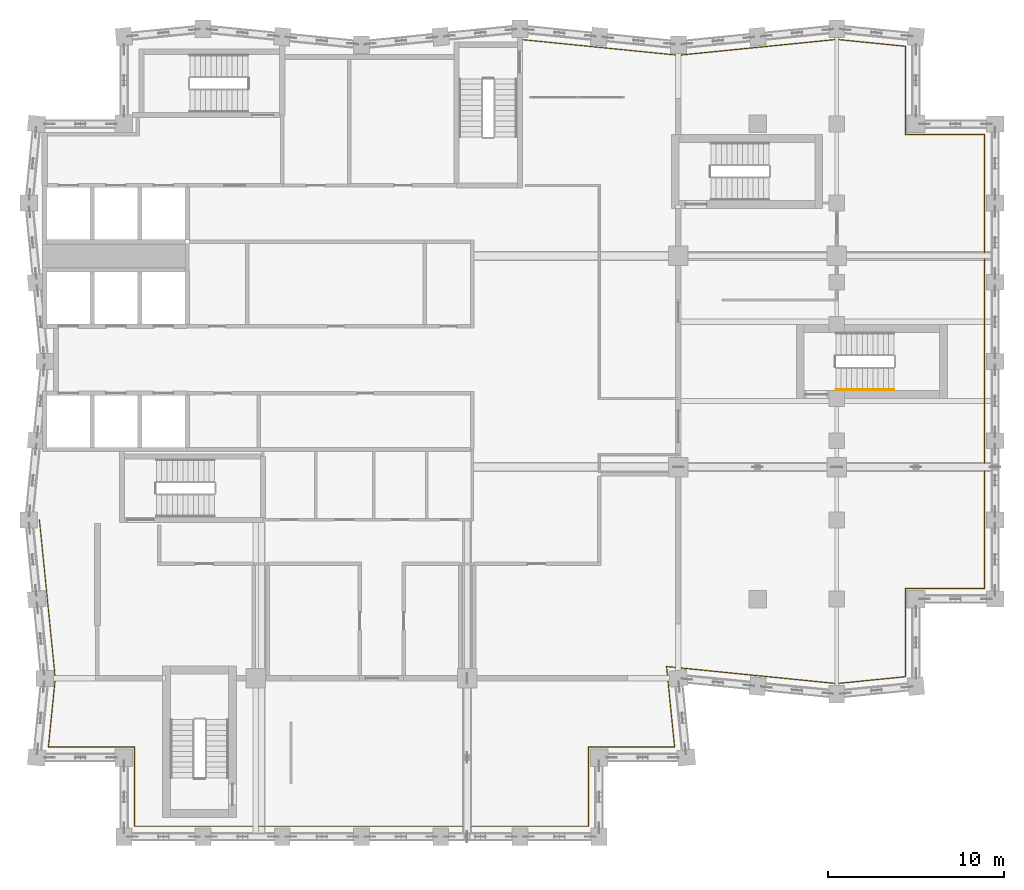
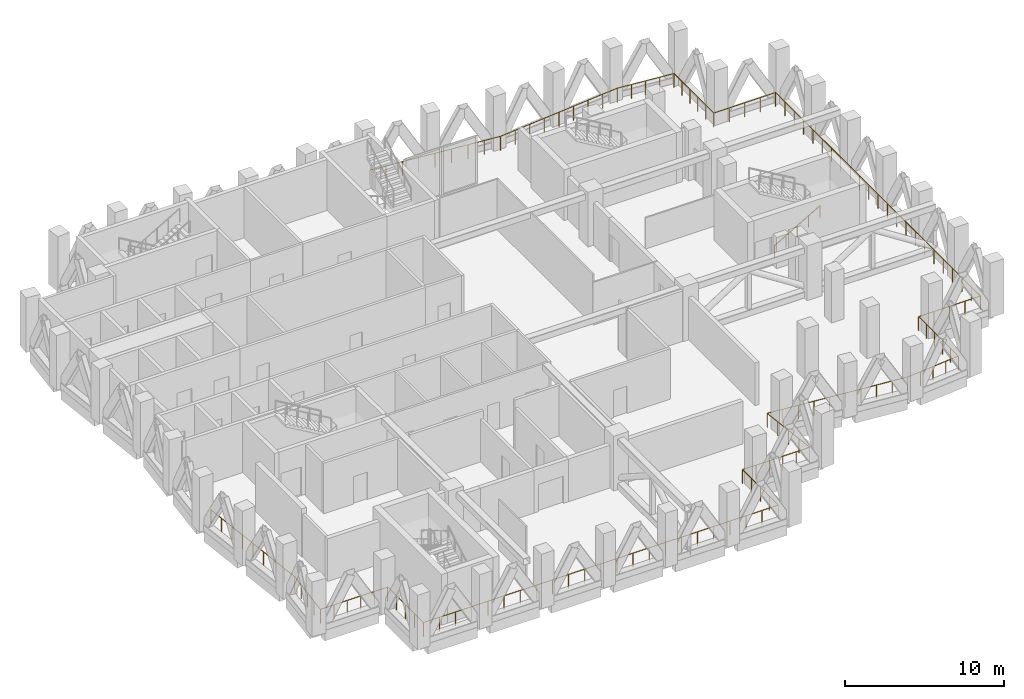
# One storey, part 17 of 18: 2 railings.
"""IFC4 building model written with IfcOpenShell, lengths in metres."""

from ifc_helpers import new_model, si_unit, direction, frame, origin, origin_2d, place, context, subcontext, project, spatial, circle, extrude, material, type_object, element, save


model = new_model("IFC4")

# Units and contexts
model_context = context("Model", 3, precision=1e-05, world=origin(), true_north=direction((0.0, 1.0)))
body_context = subcontext(model_context, "Body", "Model", "MODEL_VIEW")
ifc_project = project(units=[si_unit("LENGTHUNIT", "METRE"), si_unit("AREAUNIT", "SQUARE_METRE"), si_unit("VOLUMEUNIT", "CUBIC_METRE"), si_unit("PLANEANGLEUNIT", "RADIAN"), si_unit("MASSUNIT", "GRAM", prefix="KILO")], contexts=[model_context])

# Site, building, storey
site_placement = place(None, origin())
site = spatial("IfcSite", under=ifc_project, at=site_placement, CompositionType="ELEMENT")
building_placement = place(site_placement, origin())
building = spatial("IfcBuilding", under=site, at=building_placement, Name="Brondeck Convention Tower", CompositionType="ELEMENT")
storey_placement = place(building_placement, frame((0.0, 0.0, 248.199951171875)))
storey = spatial("IfcBuildingStorey", under=building, at=storey_placement, Name="L61", CompositionType="ELEMENT", Elevation=248.199951171875)

# Railings
ifc_material_1 = material(Name="Steel S355, bronze painted", Category="steel")
railing_type_1 = type_object("IfcRailingType", Name="Band guard, bronze steel rail and posts", PredefinedType="GUARDRAIL", material=ifc_material_1)
railing_1_placement = place(storey_placement, frame((-0.297119140625, 36.0, 0.0)))
element("IfcRailing", 1, at=railing_1_placement, inside=storey, type_object=railing_type_1, Name="ENV-BG-L61-1", PredefinedType="GUARDRAIL", context=body_context, shape_type="SweptSolid", body=[
    extrude(circle(Radius=0.02490234375, at=origin_2d()), frame((0.0, 0.0, 1.0751953125), z_axis=(0.0995197539, -0.995035586592, 0.0), x_axis=(0.995035586592, 0.0995197539, 0.0)), (0.0, 0.0, 1.0), 9.044921875),
    extrude(circle(Radius=0.02490234375, at=origin_2d()), frame((0.900146484375, -9.0, 1.0751953125), z_axis=(-0.099540723397, -0.995033489077, 0.0), x_axis=(0.995033489077, -0.099540723397, 0.0)), (0.0, 0.0, 1.0), 3.91943359375),
    extrude(circle(Radius=0.02490234375, at=origin_2d()), frame((0.510009765625, -12.89990234375, 1.0751953125), z_axis=(1.0, 0.0, 0.0), x_axis=(0.0, 1.0, 0.0)), (0.0, 0.0, 1.0), 4.88720703125),
    extrude(circle(Radius=0.02490234375, at=origin_2d()), frame((5.397216796875, -12.89990234375, 1.0751953125), z_axis=(0.0, -1.0, 0.0), x_axis=(1.0, 0.0, 0.0)), (0.0, 0.0, 1.0), 4.5),
    extrude(circle(Radius=0.02490234375, at=origin_2d()), frame((5.397216796875, -17.39990234375, 1.0751953125), z_axis=(1.0, 0.0, 0.0), x_axis=(0.0, 1.0, 0.0)), (0.0, 0.0, 1.0), 25.7998046875),
    extrude(circle(Radius=0.02490234375, at=origin_2d()), frame((31.197021484375, -17.39990234375, 1.0751953125), z_axis=(0.0, 1.0, 0.0), x_axis=(-1.0, 0.0, 0.0)), (0.0, 0.0, 1.0), 4.5),
    extrude(circle(Radius=0.02490234375, at=origin_2d()), frame((31.197021484375, -12.89990234375, 1.0751953125), z_axis=(1.0, 0.0, 0.0), x_axis=(0.0, 1.0, 0.0)), (0.0, 0.0, 1.0), 4.88720703125),
    extrude(circle(Radius=0.02490234375, at=origin_2d()), frame((36.084228515625, -12.89990234375, 1.0751953125), z_axis=(-0.099514245613, 0.995036137495, 0.0), x_axis=(-0.995036137495, -0.099514245613, 0.0)), (0.0, 0.0, 1.0), 4.592529296875),
    extrude(circle(Radius=0.02490234375, at=origin_2d()), frame((35.627197265625, -8.330078125, 1.0751953125), z_axis=(0.99503669273, -0.099508693696, 0.0), x_axis=(0.099508693696, 0.99503669273, 0.0)), (0.0, 0.0, 1.0), 9.71826171875),
    extrude(circle(Radius=0.02490234375, at=origin_2d()), frame((45.297119140625, -9.297119140625, 1.0751953125), z_axis=(0.995033489077, 0.099540723397, 0.0), x_axis=(-0.099540723397, 0.995033489077, 0.0)), (0.0, 0.0, 1.0), 3.91943359375),
    extrude(circle(Radius=0.02490234375, at=origin_2d()), frame((49.197021484375, -8.906982421875, 1.0751953125), z_axis=(0.0, 1.0, 0.0), x_axis=(-1.0, 0.0, 0.0)), (0.0, 0.0, 1.0), 5.007080078125),
    extrude(circle(Radius=0.02490234375, at=origin_2d()), frame((49.197021484375, -3.89990234375, 1.0751953125), z_axis=(1.0, 0.0, 0.0), x_axis=(0.0, 1.0, 0.0)), (0.0, 0.0, 1.0), 4.5),
    extrude(circle(Radius=0.02490234375, at=origin_2d()), frame((53.697021484375, -3.89990234375, 1.0751953125), z_axis=(0.0, 1.0, 0.0), x_axis=(-1.0, 0.0, 0.0)), (0.0, 0.0, 1.0), 25.7998046875),
    extrude(circle(Radius=0.02490234375, at=origin_2d()), frame((53.697021484375, 21.89990234375, 1.0751953125), z_axis=(-1.0, 0.0, 0.0), x_axis=(0.0, -1.0, 0.0)), (0.0, 0.0, 1.0), 4.5),
    extrude(circle(Radius=0.02490234375, at=origin_2d()), frame((49.197021484375, 21.89990234375, 1.0751953125), z_axis=(0.0, 1.0, 0.0), x_axis=(-1.0, 0.0, 0.0)), (0.0, 0.0, 1.0), 5.007080078125),
    extrude(circle(Radius=0.02490234375, at=origin_2d()), frame((49.197021484375, 26.906982421875, 1.0751953125), z_axis=(-0.995033489077, 0.099540723397, 0.0), x_axis=(-0.099540723397, -0.995033489077, 0.0)), (0.0, 0.0, 1.0), 3.91943359375),
    extrude(circle(Radius=0.02490234375, at=origin_2d()), frame((45.297119140625, 27.297119140625, 1.0751953125), z_axis=(-0.995035586592, -0.0995197539, 0.0), x_axis=(0.0995197539, -0.995035586592, 0.0)), (0.0, 0.0, 1.0), 9.044921875),
    extrude(circle(Radius=0.02490234375, at=origin_2d()), frame((36.297119140625, 26.39697265625, 1.0751953125), z_axis=(-0.995035586592, 0.0995197539, 0.0), x_axis=(-0.0995197539, -0.995035586592, 0.0)), (0.0, 0.0, 1.0), 9.044921875),
    extrude(circle(Radius=0.02490234375, at=origin_2d()), origin(), (0.0, 0.0, 1.0), 1.050048828125),
    extrude(circle(Radius=0.02490234375, at=origin_2d()), frame((0.112548828125, -1.125, 0.0)), (0.0, 0.0, 1.0), 1.050048828125),
    extrude(circle(Radius=0.02490234375, at=origin_2d()), frame((0.22509765625, -2.25, 0.0)), (0.0, 0.0, 1.0), 1.050048828125),
    extrude(circle(Radius=0.02490234375, at=origin_2d()), frame((0.337646484375, -3.375, 0.0)), (0.0, 0.0, 1.0), 1.050048828125),
    extrude(circle(Radius=0.02490234375, at=origin_2d()), frame((0.4501953125, -4.5, 0.0)), (0.0, 0.0, 1.0), 1.050048828125),
    extrude(circle(Radius=0.02490234375, at=origin_2d()), frame((0.5625, -5.625, 0.0)), (0.0, 0.0, 1.0), 1.050048828125),
    extrude(circle(Radius=0.02490234375, at=origin_2d()), frame((0.675048828125, -6.75, 0.0)), (0.0, 0.0, 1.0), 1.050048828125),
    extrude(circle(Radius=0.02490234375, at=origin_2d()), frame((0.78759765625, -7.875, 0.0)), (0.0, 0.0, 1.0), 1.050048828125),
    extrude(circle(Radius=0.02490234375, at=origin_2d()), frame((0.900146484375, -9.0, 0.0)), (0.0, 0.0, 1.0), 1.050048828125),
    extrude(circle(Radius=0.02490234375, at=origin_2d()), frame((0.802734375, -9.97509765625, 0.0)), (0.0, 0.0, 1.0), 1.050048828125),
    extrude(circle(Radius=0.02490234375, at=origin_2d()), frame((0.705078125, -10.949951171875, 0.0)), (0.0, 0.0, 1.0), 1.050048828125),
    extrude(circle(Radius=0.02490234375, at=origin_2d()), frame((0.607421875, -11.9248046875, 0.0)), (0.0, 0.0, 1.0), 1.050048828125),
    extrude(circle(Radius=0.02490234375, at=origin_2d()), frame((0.510009765625, -12.89990234375, 0.0)), (0.0, 0.0, 1.0), 1.050048828125),
    extrude(circle(Radius=0.02490234375, at=origin_2d()), frame((1.487548828125, -12.89990234375, 0.0)), (0.0, 0.0, 1.0), 1.050048828125),
    extrude(circle(Radius=0.02490234375, at=origin_2d()), frame((2.46484375, -12.89990234375, 0.0)), (0.0, 0.0, 1.0), 1.050048828125),
    extrude(circle(Radius=0.02490234375, at=origin_2d()), frame((3.4423828125, -12.89990234375, 0.0)), (0.0, 0.0, 1.0), 1.050048828125),
    extrude(circle(Radius=0.02490234375, at=origin_2d()), frame((4.419677734375, -12.89990234375, 0.0)), (0.0, 0.0, 1.0), 1.050048828125),
    extrude(circle(Radius=0.02490234375, at=origin_2d()), frame((5.397216796875, -12.89990234375, 0.0)), (0.0, 0.0, 1.0), 1.050048828125),
    extrude(circle(Radius=0.02490234375, at=origin_2d()), frame((5.397216796875, -14.02490234375, 0.0)), (0.0, 0.0, 1.0), 1.050048828125),
    extrude(circle(Radius=0.02490234375, at=origin_2d()), frame((5.397216796875, -15.14990234375, 0.0)), (0.0, 0.0, 1.0), 1.050048828125),
    extrude(circle(Radius=0.02490234375, at=origin_2d()), frame((5.397216796875, -16.27490234375, 0.0)), (0.0, 0.0, 1.0), 1.050048828125),
    extrude(circle(Radius=0.02490234375, at=origin_2d()), frame((5.397216796875, -17.39990234375, 0.0)), (0.0, 0.0, 1.0), 1.050048828125),
    extrude(circle(Radius=0.02490234375, at=origin_2d()), frame((6.56982421875, -17.39990234375, 0.0)), (0.0, 0.0, 1.0), 1.050048828125),
    extrude(circle(Radius=0.02490234375, at=origin_2d()), frame((7.74267578125, -17.39990234375, 0.0)), (0.0, 0.0, 1.0), 1.050048828125),
    extrude(circle(Radius=0.02490234375, at=origin_2d()), frame((8.915283203125, -17.39990234375, 0.0)), (0.0, 0.0, 1.0), 1.050048828125),
    extrude(circle(Radius=0.02490234375, at=origin_2d()), frame((10.088134765625, -17.39990234375, 0.0)), (0.0, 0.0, 1.0), 1.050048828125),
    extrude(circle(Radius=0.02490234375, at=origin_2d()), frame((11.2607421875, -17.39990234375, 0.0)), (0.0, 0.0, 1.0), 1.050048828125),
    extrude(circle(Radius=0.02490234375, at=origin_2d()), frame((12.43359375, -17.39990234375, 0.0)), (0.0, 0.0, 1.0), 1.050048828125),
    extrude(circle(Radius=0.02490234375, at=origin_2d()), frame((13.606201171875, -17.39990234375, 0.0)), (0.0, 0.0, 1.0), 1.050048828125),
    extrude(circle(Radius=0.02490234375, at=origin_2d()), frame((14.779052734375, -17.39990234375, 0.0)), (0.0, 0.0, 1.0), 1.050048828125),
    extrude(circle(Radius=0.02490234375, at=origin_2d()), frame((15.95166015625, -17.39990234375, 0.0)), (0.0, 0.0, 1.0), 1.050048828125),
    extrude(circle(Radius=0.02490234375, at=origin_2d()), frame((17.12451171875, -17.39990234375, 0.0)), (0.0, 0.0, 1.0), 1.050048828125),
    extrude(circle(Radius=0.02490234375, at=origin_2d()), frame((18.297119140625, -17.39990234375, 0.0)), (0.0, 0.0, 1.0), 1.050048828125),
    extrude(circle(Radius=0.02490234375, at=origin_2d()), frame((19.4697265625, -17.39990234375, 0.0)), (0.0, 0.0, 1.0), 1.050048828125),
    extrude(circle(Radius=0.02490234375, at=origin_2d()), frame((20.642578125, -17.39990234375, 0.0)), (0.0, 0.0, 1.0), 1.050048828125),
    extrude(circle(Radius=0.02490234375, at=origin_2d()), frame((21.815185546875, -17.39990234375, 0.0)), (0.0, 0.0, 1.0), 1.050048828125),
    extrude(circle(Radius=0.02490234375, at=origin_2d()), frame((22.988037109375, -17.39990234375, 0.0)), (0.0, 0.0, 1.0), 1.050048828125),
    extrude(circle(Radius=0.02490234375, at=origin_2d()), frame((24.16064453125, -17.39990234375, 0.0)), (0.0, 0.0, 1.0), 1.050048828125),
    extrude(circle(Radius=0.02490234375, at=origin_2d()), frame((25.33349609375, -17.39990234375, 0.0)), (0.0, 0.0, 1.0), 1.050048828125),
    extrude(circle(Radius=0.02490234375, at=origin_2d()), frame((26.506103515625, -17.39990234375, 0.0)), (0.0, 0.0, 1.0), 1.050048828125),
    extrude(circle(Radius=0.02490234375, at=origin_2d()), frame((27.678955078125, -17.39990234375, 0.0)), (0.0, 0.0, 1.0), 1.050048828125),
    extrude(circle(Radius=0.02490234375, at=origin_2d()), frame((28.8515625, -17.39990234375, 0.0)), (0.0, 0.0, 1.0), 1.050048828125),
    extrude(circle(Radius=0.02490234375, at=origin_2d()), frame((30.0244140625, -17.39990234375, 0.0)), (0.0, 0.0, 1.0), 1.050048828125),
    extrude(circle(Radius=0.02490234375, at=origin_2d()), frame((31.197021484375, -17.39990234375, 0.0)), (0.0, 0.0, 1.0), 1.050048828125),
    extrude(circle(Radius=0.02490234375, at=origin_2d()), frame((31.197021484375, -16.27490234375, 0.0)), (0.0, 0.0, 1.0), 1.050048828125),
    extrude(circle(Radius=0.02490234375, at=origin_2d()), frame((31.197021484375, -15.14990234375, 0.0)), (0.0, 0.0, 1.0), 1.050048828125),
    extrude(circle(Radius=0.02490234375, at=origin_2d()), frame((31.197021484375, -14.02490234375, 0.0)), (0.0, 0.0, 1.0), 1.050048828125),
    extrude(circle(Radius=0.02490234375, at=origin_2d()), frame((31.197021484375, -12.89990234375, 0.0)), (0.0, 0.0, 1.0), 1.050048828125),
    extrude(circle(Radius=0.02490234375, at=origin_2d()), frame((32.174560546875, -12.89990234375, 0.0)), (0.0, 0.0, 1.0), 1.050048828125),
    extrude(circle(Radius=0.02490234375, at=origin_2d()), frame((33.15185546875, -12.89990234375, 0.0)), (0.0, 0.0, 1.0), 1.050048828125),
    extrude(circle(Radius=0.02490234375, at=origin_2d()), frame((34.12939453125, -12.89990234375, 0.0)), (0.0, 0.0, 1.0), 1.050048828125),
    extrude(circle(Radius=0.02490234375, at=origin_2d()), frame((35.106689453125, -12.89990234375, 0.0)), (0.0, 0.0, 1.0), 1.050048828125),
    extrude(circle(Radius=0.02490234375, at=origin_2d()), frame((36.084228515625, -12.89990234375, 0.0)), (0.0, 0.0, 1.0), 1.050048828125),
    extrude(circle(Radius=0.02490234375, at=origin_2d()), frame((35.969970703125, -11.75732421875, 0.0)), (0.0, 0.0, 1.0), 1.050048828125),
    extrude(circle(Radius=0.02490234375, at=origin_2d()), frame((35.855712890625, -10.614990234375, 0.0)), (0.0, 0.0, 1.0), 1.050048828125),
    extrude(circle(Radius=0.02490234375, at=origin_2d()), frame((35.741455078125, -9.47265625, 0.0)), (0.0, 0.0, 1.0), 1.050048828125),
    extrude(circle(Radius=0.02490234375, at=origin_2d()), frame((35.627197265625, -8.330078125, 0.0)), (0.0, 0.0, 1.0), 1.050048828125),
    extrude(circle(Radius=0.02490234375, at=origin_2d()), frame((36.70166015625, -8.4375, 0.0)), (0.0, 0.0, 1.0), 1.050048828125),
    extrude(circle(Radius=0.02490234375, at=origin_2d()), frame((37.776123046875, -8.544921875, 0.0)), (0.0, 0.0, 1.0), 1.050048828125),
    extrude(circle(Radius=0.02490234375, at=origin_2d()), frame((38.8505859375, -8.65234375, 0.0)), (0.0, 0.0, 1.0), 1.050048828125),
    extrude(circle(Radius=0.02490234375, at=origin_2d()), frame((39.925048828125, -8.759765625, 0.0)), (0.0, 0.0, 1.0), 1.050048828125),
    extrude(circle(Radius=0.02490234375, at=origin_2d()), frame((40.999267578125, -8.867431640625, 0.0)), (0.0, 0.0, 1.0), 1.050048828125),
    extrude(circle(Radius=0.02490234375, at=origin_2d()), frame((42.07373046875, -8.974853515625, 0.0)), (0.0, 0.0, 1.0), 1.050048828125),
    extrude(circle(Radius=0.02490234375, at=origin_2d()), frame((43.148193359375, -9.082275390625, 0.0)), (0.0, 0.0, 1.0), 1.050048828125),
    extrude(circle(Radius=0.02490234375, at=origin_2d()), frame((44.22265625, -9.189697265625, 0.0)), (0.0, 0.0, 1.0), 1.050048828125),
    extrude(circle(Radius=0.02490234375, at=origin_2d()), frame((45.297119140625, -9.297119140625, 0.0)), (0.0, 0.0, 1.0), 1.050048828125),
    extrude(circle(Radius=0.02490234375, at=origin_2d()), frame((46.27197265625, -9.19970703125, 0.0)), (0.0, 0.0, 1.0), 1.050048828125),
    extrude(circle(Radius=0.02490234375, at=origin_2d()), frame((47.2470703125, -9.10205078125, 0.0)), (0.0, 0.0, 1.0), 1.050048828125),
    extrude(circle(Radius=0.02490234375, at=origin_2d()), frame((48.22216796875, -9.00439453125, 0.0)), (0.0, 0.0, 1.0), 1.050048828125),
    extrude(circle(Radius=0.02490234375, at=origin_2d()), frame((49.197021484375, -8.906982421875, 0.0)), (0.0, 0.0, 1.0), 1.050048828125),
    extrude(circle(Radius=0.02490234375, at=origin_2d()), frame((49.197021484375, -7.905517578125, 0.0)), (0.0, 0.0, 1.0), 1.050048828125),
    extrude(circle(Radius=0.02490234375, at=origin_2d()), frame((49.197021484375, -6.904052734375, 0.0)), (0.0, 0.0, 1.0), 1.050048828125),
    extrude(circle(Radius=0.02490234375, at=origin_2d()), frame((49.197021484375, -5.90283203125, 0.0)), (0.0, 0.0, 1.0), 1.050048828125),
    extrude(circle(Radius=0.02490234375, at=origin_2d()), frame((49.197021484375, -4.9013671875, 0.0)), (0.0, 0.0, 1.0), 1.050048828125),
    extrude(circle(Radius=0.02490234375, at=origin_2d()), frame((49.197021484375, -3.89990234375, 0.0)), (0.0, 0.0, 1.0), 1.050048828125),
    extrude(circle(Radius=0.02490234375, at=origin_2d()), frame((50.322021484375, -3.89990234375, 0.0)), (0.0, 0.0, 1.0), 1.050048828125),
    extrude(circle(Radius=0.02490234375, at=origin_2d()), frame((51.447021484375, -3.89990234375, 0.0)), (0.0, 0.0, 1.0), 1.050048828125),
    extrude(circle(Radius=0.02490234375, at=origin_2d()), frame((52.572021484375, -3.89990234375, 0.0)), (0.0, 0.0, 1.0), 1.050048828125),
    extrude(circle(Radius=0.02490234375, at=origin_2d()), frame((53.697021484375, -3.89990234375, 0.0)), (0.0, 0.0, 1.0), 1.050048828125),
    extrude(circle(Radius=0.02490234375, at=origin_2d()), frame((53.697021484375, -2.727294921875, 0.0)), (0.0, 0.0, 1.0), 1.050048828125),
    extrude(circle(Radius=0.02490234375, at=origin_2d()), frame((53.697021484375, -1.554443359375, 0.0)), (0.0, 0.0, 1.0), 1.050048828125),
    extrude(circle(Radius=0.02490234375, at=origin_2d()), frame((53.697021484375, -0.3818359375, 0.0)), (0.0, 0.0, 1.0), 1.050048828125),
    extrude(circle(Radius=0.02490234375, at=origin_2d()), frame((53.697021484375, 0.791015625, 0.0)), (0.0, 0.0, 1.0), 1.050048828125),
    extrude(circle(Radius=0.02490234375, at=origin_2d()), frame((53.697021484375, 1.963623046875, 0.0)), (0.0, 0.0, 1.0), 1.050048828125),
    extrude(circle(Radius=0.02490234375, at=origin_2d()), frame((53.697021484375, 3.136474609375, 0.0)), (0.0, 0.0, 1.0), 1.050048828125),
    extrude(circle(Radius=0.02490234375, at=origin_2d()), frame((53.697021484375, 4.30908203125, 0.0)), (0.0, 0.0, 1.0), 1.050048828125),
    extrude(circle(Radius=0.02490234375, at=origin_2d()), frame((53.697021484375, 5.48193359375, 0.0)), (0.0, 0.0, 1.0), 1.050048828125),
    extrude(circle(Radius=0.02490234375, at=origin_2d()), frame((53.697021484375, 6.654541015625, 0.0)), (0.0, 0.0, 1.0), 1.050048828125),
    extrude(circle(Radius=0.02490234375, at=origin_2d()), frame((53.697021484375, 7.827392578125, 0.0)), (0.0, 0.0, 1.0), 1.050048828125),
    extrude(circle(Radius=0.02490234375, at=origin_2d()), frame((53.697021484375, 9.0, 0.0)), (0.0, 0.0, 1.0), 1.050048828125),
    extrude(circle(Radius=0.02490234375, at=origin_2d()), frame((53.697021484375, 10.172607421875, 0.0)), (0.0, 0.0, 1.0), 1.050048828125),
    extrude(circle(Radius=0.02490234375, at=origin_2d()), frame((53.697021484375, 11.345458984375, 0.0)), (0.0, 0.0, 1.0), 1.050048828125),
    extrude(circle(Radius=0.02490234375, at=origin_2d()), frame((53.697021484375, 12.51806640625, 0.0)), (0.0, 0.0, 1.0), 1.050048828125),
    extrude(circle(Radius=0.02490234375, at=origin_2d()), frame((53.697021484375, 13.69091796875, 0.0)), (0.0, 0.0, 1.0), 1.050048828125),
    extrude(circle(Radius=0.02490234375, at=origin_2d()), frame((53.697021484375, 14.863525390625, 0.0)), (0.0, 0.0, 1.0), 1.050048828125),
    extrude(circle(Radius=0.02490234375, at=origin_2d()), frame((53.697021484375, 16.036376953125, 0.0)), (0.0, 0.0, 1.0), 1.050048828125),
    extrude(circle(Radius=0.02490234375, at=origin_2d()), frame((53.697021484375, 17.208984375, 0.0)), (0.0, 0.0, 1.0), 1.050048828125),
    extrude(circle(Radius=0.02490234375, at=origin_2d()), frame((53.697021484375, 18.3818359375, 0.0)), (0.0, 0.0, 1.0), 1.050048828125),
    extrude(circle(Radius=0.02490234375, at=origin_2d()), frame((53.697021484375, 19.554443359375, 0.0)), (0.0, 0.0, 1.0), 1.050048828125),
    extrude(circle(Radius=0.02490234375, at=origin_2d()), frame((53.697021484375, 20.727294921875, 0.0)), (0.0, 0.0, 1.0), 1.050048828125),
    extrude(circle(Radius=0.02490234375, at=origin_2d()), frame((53.697021484375, 21.89990234375, 0.0)), (0.0, 0.0, 1.0), 1.050048828125),
    extrude(circle(Radius=0.02490234375, at=origin_2d()), frame((52.572021484375, 21.89990234375, 0.0)), (0.0, 0.0, 1.0), 1.050048828125),
    extrude(circle(Radius=0.02490234375, at=origin_2d()), frame((51.447021484375, 21.89990234375, 0.0)), (0.0, 0.0, 1.0), 1.050048828125),
    extrude(circle(Radius=0.02490234375, at=origin_2d()), frame((50.322021484375, 21.89990234375, 0.0)), (0.0, 0.0, 1.0), 1.050048828125),
    extrude(circle(Radius=0.02490234375, at=origin_2d()), frame((49.197021484375, 21.89990234375, 0.0)), (0.0, 0.0, 1.0), 1.050048828125),
    extrude(circle(Radius=0.02490234375, at=origin_2d()), frame((49.197021484375, 22.9013671875, 0.0)), (0.0, 0.0, 1.0), 1.050048828125),
    extrude(circle(Radius=0.02490234375, at=origin_2d()), frame((49.197021484375, 23.90283203125, 0.0)), (0.0, 0.0, 1.0), 1.050048828125),
    extrude(circle(Radius=0.02490234375, at=origin_2d()), frame((49.197021484375, 24.904052734375, 0.0)), (0.0, 0.0, 1.0), 1.050048828125),
    extrude(circle(Radius=0.02490234375, at=origin_2d()), frame((49.197021484375, 25.905517578125, 0.0)), (0.0, 0.0, 1.0), 1.050048828125),
    extrude(circle(Radius=0.02490234375, at=origin_2d()), frame((49.197021484375, 26.906982421875, 0.0)), (0.0, 0.0, 1.0), 1.050048828125),
    extrude(circle(Radius=0.02490234375, at=origin_2d()), frame((48.22216796875, 27.00439453125, 0.0)), (0.0, 0.0, 1.0), 1.050048828125),
    extrude(circle(Radius=0.02490234375, at=origin_2d()), frame((47.2470703125, 27.10205078125, 0.0)), (0.0, 0.0, 1.0), 1.050048828125),
    extrude(circle(Radius=0.02490234375, at=origin_2d()), frame((46.27197265625, 27.19970703125, 0.0)), (0.0, 0.0, 1.0), 1.050048828125),
    extrude(circle(Radius=0.02490234375, at=origin_2d()), frame((45.297119140625, 27.297119140625, 0.0)), (0.0, 0.0, 1.0), 1.050048828125),
    extrude(circle(Radius=0.02490234375, at=origin_2d()), frame((44.172119140625, 27.1845703125, 0.0)), (0.0, 0.0, 1.0), 1.050048828125),
    extrude(circle(Radius=0.02490234375, at=origin_2d()), frame((43.047119140625, 27.072021484375, 0.0)), (0.0, 0.0, 1.0), 1.050048828125),
    extrude(circle(Radius=0.02490234375, at=origin_2d()), frame((41.922119140625, 26.95947265625, 0.0)), (0.0, 0.0, 1.0), 1.050048828125),
    extrude(circle(Radius=0.02490234375, at=origin_2d()), frame((40.797119140625, 26.84716796875, 0.0)), (0.0, 0.0, 1.0), 1.050048828125),
    extrude(circle(Radius=0.02490234375, at=origin_2d()), frame((39.672119140625, 26.734619140625, 0.0)), (0.0, 0.0, 1.0), 1.050048828125),
    extrude(circle(Radius=0.02490234375, at=origin_2d()), frame((38.547119140625, 26.6220703125, 0.0)), (0.0, 0.0, 1.0), 1.050048828125),
    extrude(circle(Radius=0.02490234375, at=origin_2d()), frame((37.422119140625, 26.509521484375, 0.0)), (0.0, 0.0, 1.0), 1.050048828125),
    extrude(circle(Radius=0.02490234375, at=origin_2d()), frame((36.297119140625, 26.39697265625, 0.0)), (0.0, 0.0, 1.0), 1.050048828125),
    extrude(circle(Radius=0.02490234375, at=origin_2d()), frame((35.172119140625, 26.509521484375, 0.0)), (0.0, 0.0, 1.0), 1.050048828125),
    extrude(circle(Radius=0.02490234375, at=origin_2d()), frame((34.047119140625, 26.6220703125, 0.0)), (0.0, 0.0, 1.0), 1.050048828125),
    extrude(circle(Radius=0.02490234375, at=origin_2d()), frame((32.922119140625, 26.734619140625, 0.0)), (0.0, 0.0, 1.0), 1.050048828125),
    extrude(circle(Radius=0.02490234375, at=origin_2d()), frame((31.797119140625, 26.84716796875, 0.0)), (0.0, 0.0, 1.0), 1.050048828125),
    extrude(circle(Radius=0.02490234375, at=origin_2d()), frame((30.672119140625, 26.95947265625, 0.0)), (0.0, 0.0, 1.0), 1.050048828125),
    extrude(circle(Radius=0.02490234375, at=origin_2d()), frame((29.547119140625, 27.072021484375, 0.0)), (0.0, 0.0, 1.0), 1.050048828125),
    extrude(circle(Radius=0.02490234375, at=origin_2d()), frame((28.422119140625, 27.1845703125, 0.0)), (0.0, 0.0, 1.0), 1.050048828125),
    extrude(circle(Radius=0.02490234375, at=origin_2d()), frame((27.297119140625, 27.297119140625, 0.0)), (0.0, 0.0, 1.0), 1.050048828125),
])
ifc_material_2 = material(Name="Steel S355", Category="steel")
railing_type_2 = type_object("IfcRailingType", Name="Stair handrail", PredefinedType="HANDRAIL", material=ifc_material_2)
railing_2_placement = place(storey_placement, frame((44.949951171875, 43.39990234375, 0.175048828125)))
element("IfcRailing", 2, at=railing_2_placement, inside=storey, type_object=railing_type_2, Name="L61 ST-AF stair handrail 1", PredefinedType="HANDRAIL", context=body_context, shape_type="SweptSolid", body=[
    extrude(circle(Radius=0.02392578125, at=origin_2d()), frame((0.0, 0.0, 0.8759765625), z_axis=(0.863776583165, 0.0, 0.503874998761), x_axis=(0.0, 1.0, 0.0)), (0.0, 0.0, 1.0), 3.820556640625),
    extrude(circle(Radius=0.02099609375, at=origin_2d()), origin(), (0.0, 0.0, 1.0), 0.851806640625),
    extrude(circle(Radius=0.02099609375, at=origin_2d()), frame((0.824951171875, 0.0, 0.481201171875)), (0.0, 0.0, 1.0), 0.851806640625),
    extrude(circle(Radius=0.02099609375, at=origin_2d()), frame((1.64990234375, 0.0, 0.96240234375)), (0.0, 0.0, 1.0), 0.851806640625),
    extrude(circle(Radius=0.02099609375, at=origin_2d()), frame((2.47509765625, 0.0, 1.44384765625)), (0.0, 0.0, 1.0), 0.851806640625),
    extrude(circle(Radius=0.02099609375, at=origin_2d()), frame((3.300048828125, 0.0, 1.925048828125)), (0.0, 0.0, 1.0), 0.851806640625),
])

save(model, "model.ifc")
